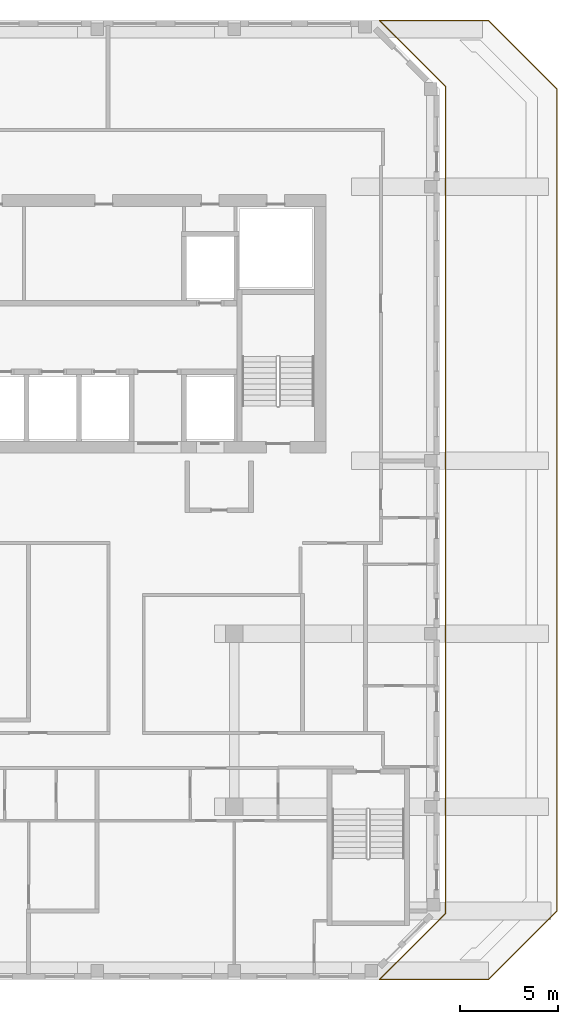
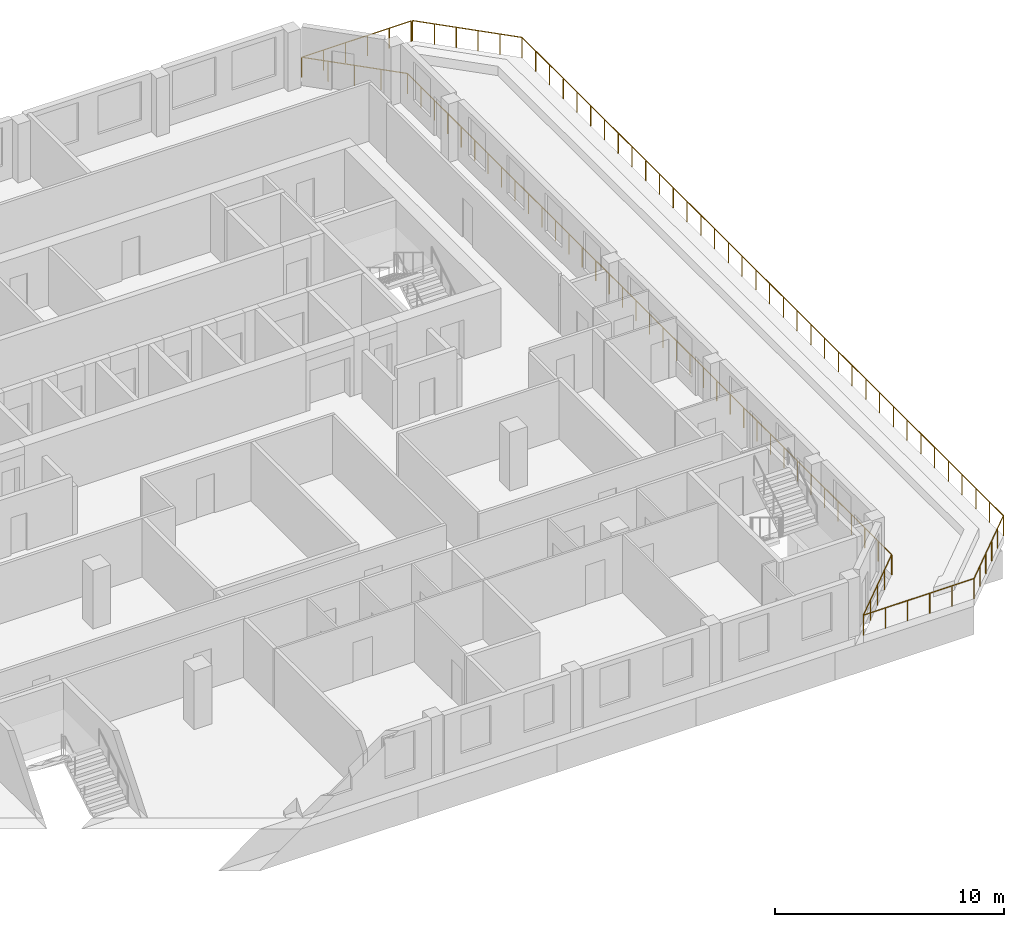
# One storey, part 13 of 13: 1 railing.
"""IFC4 building model written with IfcOpenShell, lengths in metres."""

from ifc_helpers import new_model, si_unit, direction, frame, origin, origin_2d, place, context, subcontext, project, spatial, circle, extrude, material, type_object, element, save


model = new_model("IFC4")

# Units and contexts
model_context = context("Model", 3, precision=1e-05, world=origin(), true_north=direction((0.0, 1.0)))
body_context = subcontext(model_context, "Body", "Model", "MODEL_VIEW")
ifc_project = project(units=[si_unit("LENGTHUNIT", "METRE"), si_unit("AREAUNIT", "SQUARE_METRE"), si_unit("VOLUMEUNIT", "CUBIC_METRE"), si_unit("PLANEANGLEUNIT", "RADIAN"), si_unit("MASSUNIT", "GRAM", prefix="KILO")], contexts=[model_context])

# Site, building, storey
site_placement = place(None, origin())
site = spatial("IfcSite", under=ifc_project, at=site_placement, CompositionType="ELEMENT")
building_placement = place(site_placement, origin())
building = spatial("IfcBuilding", under=site, at=building_placement, Name="Kilnfold Tower and Market Hall", CompositionType="ELEMENT")
storey_placement = place(building_placement, frame((0.0, 0.0, 267.0)))
storey = spatial("IfcBuildingStorey", under=building, at=storey_placement, Name="L65", CompositionType="ELEMENT", Elevation=267.0)

# Railing
ifc_material = material(Name="Stainless steel and laminated glass", Category="steel")
railing_type = type_object("IfcRailingType", Name="GUARD 1100", PredefinedType="GUARDRAIL", material=ifc_material)
railing_placement = place(storey_placement, frame((26.0, 30.5, 0.0)))
element("IfcRailing", 1, at=railing_placement, inside=storey, type_object=railing_type, Name="Guard terrace L65", PredefinedType="GUARDRAIL", context=body_context, shape_type="SweptSolid", body=[
    extrude(circle(Radius=0.02490234375, at=origin_2d()), frame((0.0, 0.0, 1.0751953125), z_axis=(0.707106781187, -0.707106781187, 0.0), x_axis=(0.707106781187, 0.707106781187, 0.0)), (0.0, 0.0, 1.0), 4.94970703125),
    extrude(circle(Radius=0.02490234375, at=origin_2d()), frame((3.5, -3.5, 1.0751953125), z_axis=(0.0, -1.0, 0.0), x_axis=(1.0, 0.0, 0.0)), (0.0, 0.0, 1.0), 42.0),
    extrude(circle(Radius=0.02490234375, at=origin_2d()), frame((3.5, -45.5, 1.0751953125), z_axis=(-0.707106781187, -0.707106781187, 0.0), x_axis=(0.707106781187, -0.707106781187, 0.0)), (0.0, 0.0, 1.0), 4.94970703125),
    extrude(circle(Radius=0.02490234375, at=origin_2d()), frame((0.0, -49.0, 1.0751953125), z_axis=(-1.0, 0.0, 0.0), x_axis=(0.0, -1.0, 0.0)), (0.0, 0.0, 1.0), 5.57568359375),
    extrude(circle(Radius=0.02490234375, at=origin_2d()), frame((-5.57568359375, -49.0, 1.0751953125), z_axis=(0.707106781187, 0.707106781187, 0.0), x_axis=(-0.707106781187, 0.707106781187, 0.0)), (0.0, 0.0, 1.0), 4.77392578125),
    extrude(circle(Radius=0.02490234375, at=origin_2d()), frame((-2.199951171875, -45.624267578125, 1.0751953125), z_axis=(0.0, 1.0, 0.0), x_axis=(-1.0, 0.0, 0.0)), (0.0, 0.0, 1.0), 42.24853515625),
    extrude(circle(Radius=0.02490234375, at=origin_2d()), frame((-2.199951171875, -3.375732421875, 1.0751953125), z_axis=(-0.707106781187, 0.707106781187, 0.0), x_axis=(-0.707106781187, -0.707106781187, 0.0)), (0.0, 0.0, 1.0), 4.77392578125),
    extrude(circle(Radius=0.02490234375, at=origin_2d()), frame((-5.57568359375, 0.0, 1.0751953125), z_axis=(1.0, 0.0, 0.0), x_axis=(0.0, 1.0, 0.0)), (0.0, 0.0, 1.0), 5.515625),
    extrude(circle(Radius=0.02490234375, at=origin_2d()), origin(), (0.0, 0.0, 1.0), 1.050048828125),
    extrude(circle(Radius=0.02490234375, at=origin_2d()), frame((0.699951171875, -0.699951171875, 0.0)), (0.0, 0.0, 1.0), 1.050048828125),
    extrude(circle(Radius=0.02490234375, at=origin_2d()), frame((1.39990234375, -1.39990234375, 0.0)), (0.0, 0.0, 1.0), 1.050048828125),
    extrude(circle(Radius=0.02490234375, at=origin_2d()), frame((2.10009765625, -2.10009765625, 0.0)), (0.0, 0.0, 1.0), 1.050048828125),
    extrude(circle(Radius=0.02490234375, at=origin_2d()), frame((2.800048828125, -2.800048828125, 0.0)), (0.0, 0.0, 1.0), 1.050048828125),
    extrude(circle(Radius=0.02490234375, at=origin_2d()), frame((3.5, -3.5, 0.0)), (0.0, 0.0, 1.0), 1.050048828125),
    extrude(circle(Radius=0.02490234375, at=origin_2d()), frame((3.5, -4.699951171875, 0.0)), (0.0, 0.0, 1.0), 1.050048828125),
    extrude(circle(Radius=0.02490234375, at=origin_2d()), frame((3.5, -5.89990234375, 0.0)), (0.0, 0.0, 1.0), 1.050048828125),
    extrude(circle(Radius=0.02490234375, at=origin_2d()), frame((3.5, -7.10009765625, 0.0)), (0.0, 0.0, 1.0), 1.050048828125),
    extrude(circle(Radius=0.02490234375, at=origin_2d()), frame((3.5, -8.300048828125, 0.0)), (0.0, 0.0, 1.0), 1.050048828125),
    extrude(circle(Radius=0.02490234375, at=origin_2d()), frame((3.5, -9.5, 0.0)), (0.0, 0.0, 1.0), 1.050048828125),
    extrude(circle(Radius=0.02490234375, at=origin_2d()), frame((3.5, -10.699951171875, 0.0)), (0.0, 0.0, 1.0), 1.050048828125),
    extrude(circle(Radius=0.02490234375, at=origin_2d()), frame((3.5, -11.89990234375, 0.0)), (0.0, 0.0, 1.0), 1.050048828125),
    extrude(circle(Radius=0.02490234375, at=origin_2d()), frame((3.5, -13.10009765625, 0.0)), (0.0, 0.0, 1.0), 1.050048828125),
    extrude(circle(Radius=0.02490234375, at=origin_2d()), frame((3.5, -14.300048828125, 0.0)), (0.0, 0.0, 1.0), 1.050048828125),
    extrude(circle(Radius=0.02490234375, at=origin_2d()), frame((3.5, -15.5, 0.0)), (0.0, 0.0, 1.0), 1.050048828125),
    extrude(circle(Radius=0.02490234375, at=origin_2d()), frame((3.5, -16.699951171875, 0.0)), (0.0, 0.0, 1.0), 1.050048828125),
    extrude(circle(Radius=0.02490234375, at=origin_2d()), frame((3.5, -17.89990234375, 0.0)), (0.0, 0.0, 1.0), 1.050048828125),
    extrude(circle(Radius=0.02490234375, at=origin_2d()), frame((3.5, -19.10009765625, 0.0)), (0.0, 0.0, 1.0), 1.050048828125),
    extrude(circle(Radius=0.02490234375, at=origin_2d()), frame((3.5, -20.300048828125, 0.0)), (0.0, 0.0, 1.0), 1.050048828125),
    extrude(circle(Radius=0.02490234375, at=origin_2d()), frame((3.5, -21.5, 0.0)), (0.0, 0.0, 1.0), 1.050048828125),
    extrude(circle(Radius=0.02490234375, at=origin_2d()), frame((3.5, -22.699951171875, 0.0)), (0.0, 0.0, 1.0), 1.050048828125),
    extrude(circle(Radius=0.02490234375, at=origin_2d()), frame((3.5, -23.89990234375, 0.0)), (0.0, 0.0, 1.0), 1.050048828125),
    extrude(circle(Radius=0.02490234375, at=origin_2d()), frame((3.5, -25.10009765625, 0.0)), (0.0, 0.0, 1.0), 1.050048828125),
    extrude(circle(Radius=0.02490234375, at=origin_2d()), frame((3.5, -26.300048828125, 0.0)), (0.0, 0.0, 1.0), 1.050048828125),
    extrude(circle(Radius=0.02490234375, at=origin_2d()), frame((3.5, -27.5, 0.0)), (0.0, 0.0, 1.0), 1.050048828125),
    extrude(circle(Radius=0.02490234375, at=origin_2d()), frame((3.5, -28.699951171875, 0.0)), (0.0, 0.0, 1.0), 1.050048828125),
    extrude(circle(Radius=0.02490234375, at=origin_2d()), frame((3.5, -29.89990234375, 0.0)), (0.0, 0.0, 1.0), 1.050048828125),
    extrude(circle(Radius=0.02490234375, at=origin_2d()), frame((3.5, -31.10009765625, 0.0)), (0.0, 0.0, 1.0), 1.050048828125),
    extrude(circle(Radius=0.02490234375, at=origin_2d()), frame((3.5, -32.300048828125, 0.0)), (0.0, 0.0, 1.0), 1.050048828125),
    extrude(circle(Radius=0.02490234375, at=origin_2d()), frame((3.5, -33.5, 0.0)), (0.0, 0.0, 1.0), 1.050048828125),
    extrude(circle(Radius=0.02490234375, at=origin_2d()), frame((3.5, -34.699951171875, 0.0)), (0.0, 0.0, 1.0), 1.050048828125),
    extrude(circle(Radius=0.02490234375, at=origin_2d()), frame((3.5, -35.89990234375, 0.0)), (0.0, 0.0, 1.0), 1.050048828125),
    extrude(circle(Radius=0.02490234375, at=origin_2d()), frame((3.5, -37.10009765625, 0.0)), (0.0, 0.0, 1.0), 1.050048828125),
    extrude(circle(Radius=0.02490234375, at=origin_2d()), frame((3.5, -38.300048828125, 0.0)), (0.0, 0.0, 1.0), 1.050048828125),
    extrude(circle(Radius=0.02490234375, at=origin_2d()), frame((3.5, -39.5, 0.0)), (0.0, 0.0, 1.0), 1.050048828125),
    extrude(circle(Radius=0.02490234375, at=origin_2d()), frame((3.5, -40.699951171875, 0.0)), (0.0, 0.0, 1.0), 1.050048828125),
    extrude(circle(Radius=0.02490234375, at=origin_2d()), frame((3.5, -41.89990234375, 0.0)), (0.0, 0.0, 1.0), 1.050048828125),
    extrude(circle(Radius=0.02490234375, at=origin_2d()), frame((3.5, -43.10009765625, 0.0)), (0.0, 0.0, 1.0), 1.050048828125),
    extrude(circle(Radius=0.02490234375, at=origin_2d()), frame((3.5, -44.300048828125, 0.0)), (0.0, 0.0, 1.0), 1.050048828125),
    extrude(circle(Radius=0.02490234375, at=origin_2d()), frame((3.5, -45.5, 0.0)), (0.0, 0.0, 1.0), 1.050048828125),
    extrude(circle(Radius=0.02490234375, at=origin_2d()), frame((2.800048828125, -46.199951171875, 0.0)), (0.0, 0.0, 1.0), 1.050048828125),
    extrude(circle(Radius=0.02490234375, at=origin_2d()), frame((2.10009765625, -46.89990234375, 0.0)), (0.0, 0.0, 1.0), 1.050048828125),
    extrude(circle(Radius=0.02490234375, at=origin_2d()), frame((1.39990234375, -47.60009765625, 0.0)), (0.0, 0.0, 1.0), 1.050048828125),
    extrude(circle(Radius=0.02490234375, at=origin_2d()), frame((0.699951171875, -48.300048828125, 0.0)), (0.0, 0.0, 1.0), 1.050048828125),
    extrude(circle(Radius=0.02490234375, at=origin_2d()), frame((0.0, -49.0, 0.0)), (0.0, 0.0, 1.0), 1.050048828125),
    extrude(circle(Radius=0.02490234375, at=origin_2d()), frame((-1.115234375, -49.0, 0.0)), (0.0, 0.0, 1.0), 1.050048828125),
    extrude(circle(Radius=0.02490234375, at=origin_2d()), frame((-2.230224609375, -49.0, 0.0)), (0.0, 0.0, 1.0), 1.050048828125),
    extrude(circle(Radius=0.02490234375, at=origin_2d()), frame((-3.345458984375, -49.0, 0.0)), (0.0, 0.0, 1.0), 1.050048828125),
    extrude(circle(Radius=0.02490234375, at=origin_2d()), frame((-4.46044921875, -49.0, 0.0)), (0.0, 0.0, 1.0), 1.050048828125),
    extrude(circle(Radius=0.02490234375, at=origin_2d()), frame((-5.57568359375, -49.0, 0.0)), (0.0, 0.0, 1.0), 1.050048828125),
    extrude(circle(Radius=0.02490234375, at=origin_2d()), frame((-4.731689453125, -48.156005859375, 0.0)), (0.0, 0.0, 1.0), 1.050048828125),
    extrude(circle(Radius=0.02490234375, at=origin_2d()), frame((-3.8876953125, -47.31201171875, 0.0)), (0.0, 0.0, 1.0), 1.050048828125),
    extrude(circle(Radius=0.02490234375, at=origin_2d()), frame((-3.0439453125, -46.46826171875, 0.0)), (0.0, 0.0, 1.0), 1.050048828125),
    extrude(circle(Radius=0.02490234375, at=origin_2d()), frame((-2.199951171875, -45.624267578125, 0.0)), (0.0, 0.0, 1.0), 1.050048828125),
    extrude(circle(Radius=0.02490234375, at=origin_2d()), frame((-2.199951171875, -44.45068359375, 0.0)), (0.0, 0.0, 1.0), 1.050048828125),
    extrude(circle(Radius=0.02490234375, at=origin_2d()), frame((-2.199951171875, -43.277099609375, 0.0)), (0.0, 0.0, 1.0), 1.050048828125),
    extrude(circle(Radius=0.02490234375, at=origin_2d()), frame((-2.199951171875, -42.103515625, 0.0)), (0.0, 0.0, 1.0), 1.050048828125),
    extrude(circle(Radius=0.02490234375, at=origin_2d()), frame((-2.199951171875, -40.929931640625, 0.0)), (0.0, 0.0, 1.0), 1.050048828125),
    extrude(circle(Radius=0.02490234375, at=origin_2d()), frame((-2.199951171875, -39.75634765625, 0.0)), (0.0, 0.0, 1.0), 1.050048828125),
    extrude(circle(Radius=0.02490234375, at=origin_2d()), frame((-2.199951171875, -38.582763671875, 0.0)), (0.0, 0.0, 1.0), 1.050048828125),
    extrude(circle(Radius=0.02490234375, at=origin_2d()), frame((-2.199951171875, -37.4091796875, 0.0)), (0.0, 0.0, 1.0), 1.050048828125),
    extrude(circle(Radius=0.02490234375, at=origin_2d()), frame((-2.199951171875, -36.235595703125, 0.0)), (0.0, 0.0, 1.0), 1.050048828125),
    extrude(circle(Radius=0.02490234375, at=origin_2d()), frame((-2.199951171875, -35.06201171875, 0.0)), (0.0, 0.0, 1.0), 1.050048828125),
    extrude(circle(Radius=0.02490234375, at=origin_2d()), frame((-2.199951171875, -33.888671875, 0.0)), (0.0, 0.0, 1.0), 1.050048828125),
    extrude(circle(Radius=0.02490234375, at=origin_2d()), frame((-2.199951171875, -32.715087890625, 0.0)), (0.0, 0.0, 1.0), 1.050048828125),
    extrude(circle(Radius=0.02490234375, at=origin_2d()), frame((-2.199951171875, -31.54150390625, 0.0)), (0.0, 0.0, 1.0), 1.050048828125),
    extrude(circle(Radius=0.02490234375, at=origin_2d()), frame((-2.199951171875, -30.367919921875, 0.0)), (0.0, 0.0, 1.0), 1.050048828125),
    extrude(circle(Radius=0.02490234375, at=origin_2d()), frame((-2.199951171875, -29.1943359375, 0.0)), (0.0, 0.0, 1.0), 1.050048828125),
    extrude(circle(Radius=0.02490234375, at=origin_2d()), frame((-2.199951171875, -28.020751953125, 0.0)), (0.0, 0.0, 1.0), 1.050048828125),
    extrude(circle(Radius=0.02490234375, at=origin_2d()), frame((-2.199951171875, -26.84716796875, 0.0)), (0.0, 0.0, 1.0), 1.050048828125),
    extrude(circle(Radius=0.02490234375, at=origin_2d()), frame((-2.199951171875, -25.673583984375, 0.0)), (0.0, 0.0, 1.0), 1.050048828125),
    extrude(circle(Radius=0.02490234375, at=origin_2d()), frame((-2.199951171875, -24.5, 0.0)), (0.0, 0.0, 1.0), 1.050048828125),
    extrude(circle(Radius=0.02490234375, at=origin_2d()), frame((-2.199951171875, -23.326416015625, 0.0)), (0.0, 0.0, 1.0), 1.050048828125),
    extrude(circle(Radius=0.02490234375, at=origin_2d()), frame((-2.199951171875, -22.15283203125, 0.0)), (0.0, 0.0, 1.0), 1.050048828125),
    extrude(circle(Radius=0.02490234375, at=origin_2d()), frame((-2.199951171875, -20.979248046875, 0.0)), (0.0, 0.0, 1.0), 1.050048828125),
    extrude(circle(Radius=0.02490234375, at=origin_2d()), frame((-2.199951171875, -19.8056640625, 0.0)), (0.0, 0.0, 1.0), 1.050048828125),
    extrude(circle(Radius=0.02490234375, at=origin_2d()), frame((-2.199951171875, -18.632080078125, 0.0)), (0.0, 0.0, 1.0), 1.050048828125),
    extrude(circle(Radius=0.02490234375, at=origin_2d()), frame((-2.199951171875, -17.45849609375, 0.0)), (0.0, 0.0, 1.0), 1.050048828125),
    extrude(circle(Radius=0.02490234375, at=origin_2d()), frame((-2.199951171875, -16.284912109375, 0.0)), (0.0, 0.0, 1.0), 1.050048828125),
    extrude(circle(Radius=0.02490234375, at=origin_2d()), frame((-2.199951171875, -15.111328125, 0.0)), (0.0, 0.0, 1.0), 1.050048828125),
    extrude(circle(Radius=0.02490234375, at=origin_2d()), frame((-2.199951171875, -13.93798828125, 0.0)), (0.0, 0.0, 1.0), 1.050048828125),
    extrude(circle(Radius=0.02490234375, at=origin_2d()), frame((-2.199951171875, -12.764404296875, 0.0)), (0.0, 0.0, 1.0), 1.050048828125),
    extrude(circle(Radius=0.02490234375, at=origin_2d()), frame((-2.199951171875, -11.5908203125, 0.0)), (0.0, 0.0, 1.0), 1.050048828125),
    extrude(circle(Radius=0.02490234375, at=origin_2d()), frame((-2.199951171875, -10.417236328125, 0.0)), (0.0, 0.0, 1.0), 1.050048828125),
    extrude(circle(Radius=0.02490234375, at=origin_2d()), frame((-2.199951171875, -9.24365234375, 0.0)), (0.0, 0.0, 1.0), 1.050048828125),
    extrude(circle(Radius=0.02490234375, at=origin_2d()), frame((-2.199951171875, -8.070068359375, 0.0)), (0.0, 0.0, 1.0), 1.050048828125),
    extrude(circle(Radius=0.02490234375, at=origin_2d()), frame((-2.199951171875, -6.896484375, 0.0)), (0.0, 0.0, 1.0), 1.050048828125),
    extrude(circle(Radius=0.02490234375, at=origin_2d()), frame((-2.199951171875, -5.722900390625, 0.0)), (0.0, 0.0, 1.0), 1.050048828125),
    extrude(circle(Radius=0.02490234375, at=origin_2d()), frame((-2.199951171875, -4.54931640625, 0.0)), (0.0, 0.0, 1.0), 1.050048828125),
    extrude(circle(Radius=0.02490234375, at=origin_2d()), frame((-2.199951171875, -3.375732421875, 0.0)), (0.0, 0.0, 1.0), 1.050048828125),
    extrude(circle(Radius=0.02490234375, at=origin_2d()), frame((-3.0439453125, -2.53173828125, 0.0)), (0.0, 0.0, 1.0), 1.050048828125),
    extrude(circle(Radius=0.02490234375, at=origin_2d()), frame((-3.8876953125, -1.68798828125, 0.0)), (0.0, 0.0, 1.0), 1.050048828125),
    extrude(circle(Radius=0.02490234375, at=origin_2d()), frame((-4.731689453125, -0.843994140625, 0.0)), (0.0, 0.0, 1.0), 1.050048828125),
    extrude(circle(Radius=0.02490234375, at=origin_2d()), frame((-5.57568359375, 0.0, 0.0)), (0.0, 0.0, 1.0), 1.050048828125),
    extrude(circle(Radius=0.02490234375, at=origin_2d()), frame((-4.47265625, 0.0, 0.0)), (0.0, 0.0, 1.0), 1.050048828125),
    extrude(circle(Radius=0.02490234375, at=origin_2d()), frame((-3.369384765625, 0.0, 0.0)), (0.0, 0.0, 1.0), 1.050048828125),
    extrude(circle(Radius=0.02490234375, at=origin_2d()), frame((-2.266357421875, 0.0, 0.0)), (0.0, 0.0, 1.0), 1.050048828125),
    extrude(circle(Radius=0.02490234375, at=origin_2d()), frame((-1.1630859375, 0.0, 0.0)), (0.0, 0.0, 1.0), 1.050048828125),
    extrude(circle(Radius=0.02490234375, at=origin_2d()), frame((-0.06005859375, 0.0, 0.0)), (0.0, 0.0, 1.0), 1.050048828125),
])

save(model, "model.ifc")
